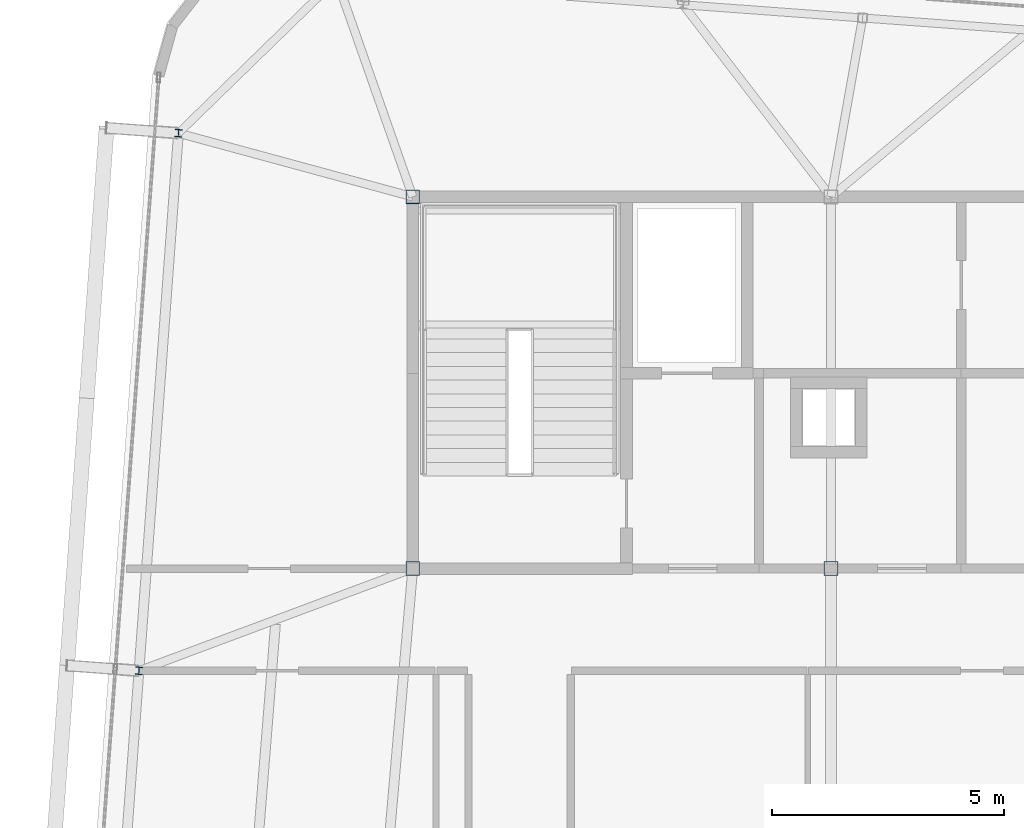
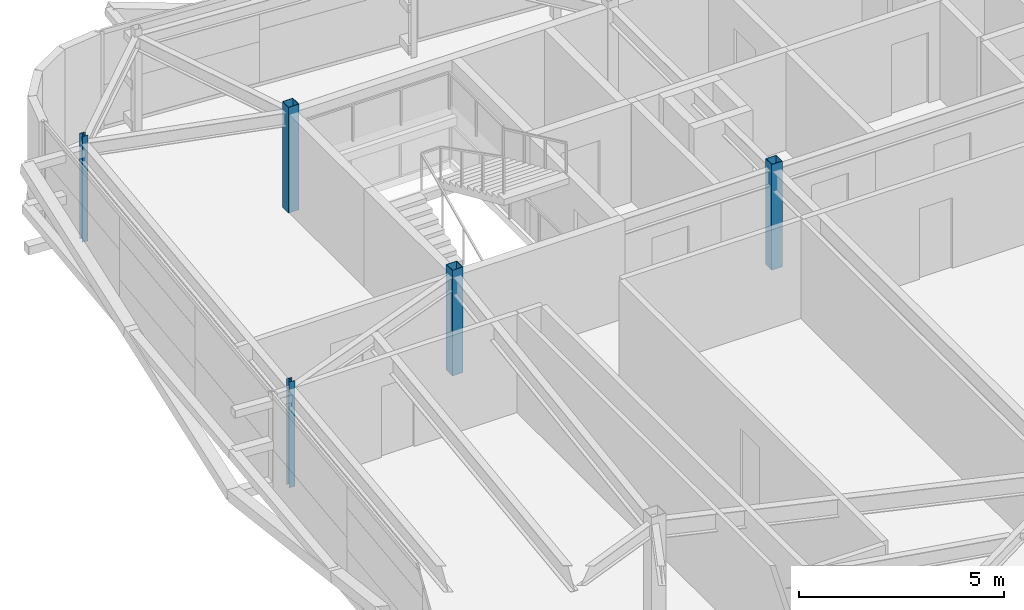
# One storey, part 3 of 34: 5 columns.
"""IFC4 building model written with IfcOpenShell, lengths in metres."""

from ifc_helpers import new_model, si_unit, direction, frame, origin, origin_2d, place, context, subcontext, project, spatial, hollow_rectangle, i_section, extrude, source, transform, mapped, material, material_profile, profile_set, type_object, element, save


model = new_model("IFC4")

# Units and contexts
model_context = context("Model", 3, precision=1e-05, world=origin(), true_north=direction((0.0, 1.0)))
body_context = subcontext(model_context, "Body", "Model", "MODEL_VIEW")
ifc_project = project(units=[si_unit("LENGTHUNIT", "METRE"), si_unit("AREAUNIT", "SQUARE_METRE"), si_unit("VOLUMEUNIT", "CUBIC_METRE"), si_unit("PLANEANGLEUNIT", "RADIAN"), si_unit("MASSUNIT", "GRAM", prefix="KILO")], contexts=[model_context])

# Site, building, storey
site_placement = place(None, origin())
site = spatial("IfcSite", under=ifc_project, at=site_placement, CompositionType="ELEMENT")
building_placement = place(site_placement, origin())
building = spatial("IfcBuilding", under=site, at=building_placement, Name="Taldren Reach Tower", CompositionType="ELEMENT")
storey_placement = place(building_placement, frame((0.0, 0.0, 246.050048828125)))
storey = spatial("IfcBuildingStorey", under=building, at=storey_placement, Name="L75", CompositionType="ELEMENT", Elevation=246.050048828125)

# Columns
ifc_material_1 = material(Name="Steel Gr 450 (C450L0)", Category="steel")
ifc_material_profile_1 = material_profile(ifc_material_1, hollow_rectangle(XDim=0.300048828125, YDim=0.300048828125, WallThickness=0.012451171875, at=origin_2d()), Name="300x300x12.5SHS")
ifc_profile_set_1 = profile_set([ifc_material_profile_1], Name="Steel Gr 450 (C450L0)")
column_type_1 = type_object("IfcColumnType", Name="COL-SHS300", PredefinedType="COLUMN", material=ifc_profile_set_1)
shared_shape_1 = source(origin(), body_context, "Body", "SweptSolid", [
    extrude(hollow_rectangle(XDim=0.300048828125, YDim=0.300048828125, WallThickness=0.012451171875, at=origin_2d()), origin(), (0.0, 0.0, 1.0), 3.14990234375),
])
for number, where, z_axis, x_axis, name in (
    (1, (19.0, 24.0, 0.0), (0.0, 0.0, 1.0), (1.0, 0.0, 0.0), "Mega column MC-C1 L75"),
    (2, (28.0, 24.0, 0.0), (0.0, 0.0, 1.0), (1.0, 0.0, 0.0), "Mega column MC-C2 L75"),
    (3, (19.0, 32.0, 0.0), (0.0, 0.0, 1.0), (1.0, 0.0, 0.0), "Mega column MC-C5 L75"),
):
    element("IfcColumn", number, at=place(storey_placement, frame(where, z_axis=z_axis, x_axis=x_axis)), inside=storey, type_object=column_type_1, Name=name, PredefinedType="COLUMN", context=body_context, shape_type="MappedRepresentation", body=[
        mapped(shared_shape_1, transform((0.0, 0.0, 0.0), scale=1.0)),
    ])
ifc_material_2 = material(Name="Steel Gr 350 (350PLUS)", Category="steel")
ifc_material_profile_2 = material_profile(ifc_material_2, i_section(OverallWidth=0.154052734375, OverallDepth=0.162109375, WebThickness=0.008056640625, FlangeThickness=0.011474609375, at=origin_2d()), Name="150UC37.2")
ifc_profile_set_2 = profile_set([ifc_material_profile_2], Name="Steel Gr 350 (350PLUS)")
column_type_2 = type_object("IfcColumnType", Name="COL-UC150", PredefinedType="COLUMN", material=ifc_profile_set_2)
shared_shape_2 = source(origin(), body_context, "Body", "SweptSolid", [
    extrude(i_section(OverallWidth=0.154052734375, OverallDepth=0.162109375, WebThickness=0.008056640625, FlangeThickness=0.011474609375, at=origin_2d()), origin(), (0.0, 0.0, 1.0), 3.14990234375),
])
for number, where, z_axis, x_axis, name in (
    (4, (13.108642578125, 21.80029296875, 0.0), (0.0, 0.0, 1.0), (0.997314477224, -0.073238197128, 0.0), "Block B5 perimeter column W2 L75"),
    (5, (13.958251953125, 33.369140625, 0.0), (0.0, 0.0, 1.0), (0.997314477224, -0.073238197128, 0.0), "Block B5 perimeter column W3 L75"),
):
    element("IfcColumn", number, at=place(storey_placement, frame(where, z_axis=z_axis, x_axis=x_axis)), inside=storey, type_object=column_type_2, Name=name, PredefinedType="COLUMN", context=body_context, shape_type="MappedRepresentation", body=[
        mapped(shared_shape_2, transform((0.0, 0.0, 0.0), scale=1.0)),
    ])

save(model, "model.ifc")
